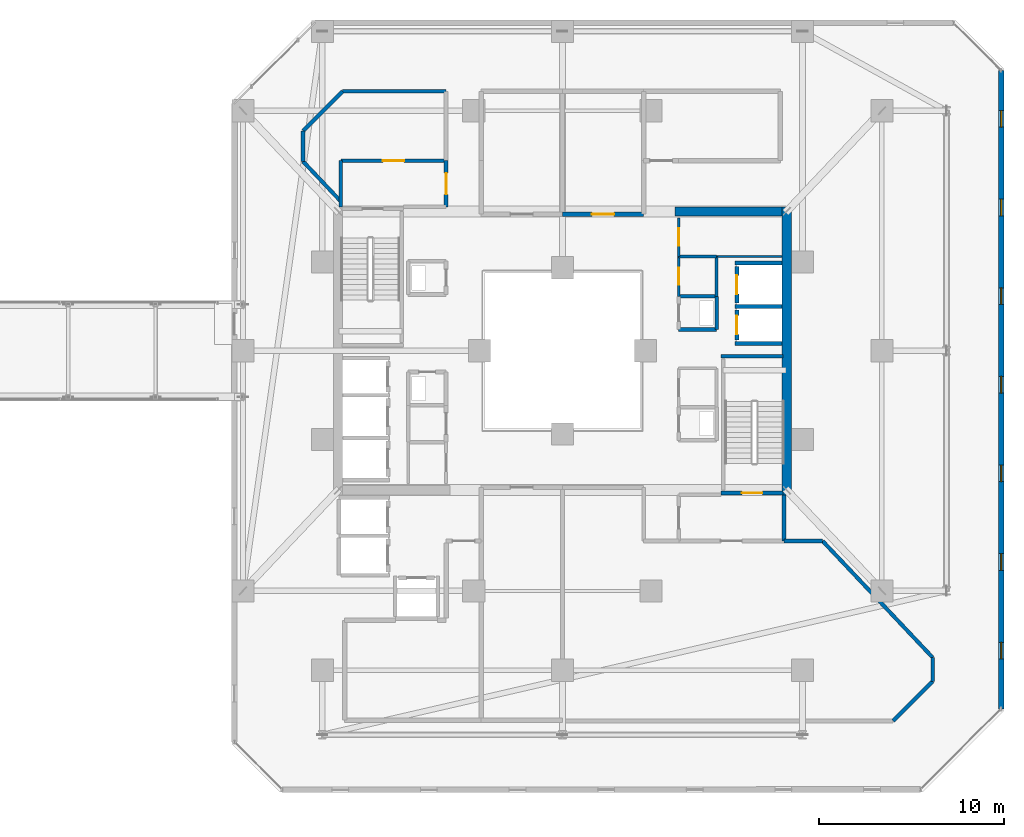
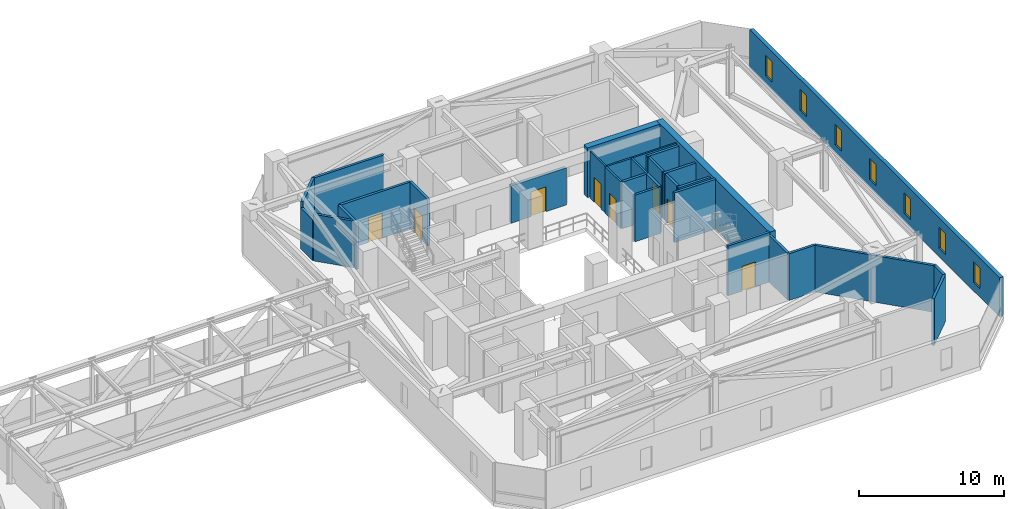
# One storey, part 41 of 45: 31 walls, 8 doors, 7 windows, 15 openings.
"""IFC4 building model written with IfcOpenShell, lengths in metres."""

import ifcopenshell
import ifcopenshell.guid

model = None  # the IFC model being written
_history = None  # IfcOwnerHistory: only IFC2X3 demands one
_inside = {}  # id of a spatial element -> (the spatial element, [elements in it])
_under = {}  # id of a project, library or spatial element -> (it, [spatial elements below it])
_declared = {}  # id of a project -> (the project, [libraries it declares])
_typed = {}  # id of a type object -> (the type object, [elements of that type])
_made_of = {}  # id of a material, layer set ... -> (it, [elements and type objects made of it])


def new_model(schema):
    """Start an empty IFC model of exactly this schema.

    Asked for "IFC4X3", IfcOpenShell would pick the latest addendum, in which some entities
    have other attributes; the version numbers below select the first issue.
    IFC2X3 requires an IfcOwnerHistory on every rooted entity: one is made here for all.
    """
    global model, _history
    if schema == "IFC4X3":
        model = ifcopenshell.file(schema_version=(4, 3, 0, 0))
    else:
        model = ifcopenshell.file(schema=schema)
    _inside.clear()
    _under.clear()
    _declared.clear()
    _typed.clear()
    _made_of.clear()
    _history = None
    if model.schema == "IFC2X3":
        org = make("IfcOrganization", Name="unknown")
        user = make(
            "IfcPersonAndOrganization",
            ThePerson=make("IfcPerson", FamilyName="unknown"),
            TheOrganization=org,
        )
        app = make(
            "IfcApplication",
            ApplicationDeveloper=org,
            Version="unknown",
            ApplicationFullName="unknown",
            ApplicationIdentifier="unknown",
        )
        _history = make(
            "IfcOwnerHistory",
            OwningUser=user,
            OwningApplication=app,
            ChangeAction="ADDED",
            CreationDate=0,
        )
    return model


def make(cls, **values):
    """One entity of the class cls with the attributes given. An attribute that is None is left unset."""
    return model.create_entity(
        cls, **{name: value for name, value in values.items() if value is not None}
    )


def rooted(cls, **values):
    """An entity with a GlobalId (a new one), such as an element, a storey or a relation."""
    return make(cls, GlobalId=ifcopenshell.guid.new(), OwnerHistory=_history, **values)


def si_unit(unit_type, name, prefix=None):
    """IfcSIUnit, for example si_unit("LENGTHUNIT", "METRE", prefix="MILLI")."""
    return make("IfcSIUnit", UnitType=unit_type, Prefix=prefix, Name=name)


def assignment(units):
    """IfcUnitAssignment: the units of a project."""
    return None if units is None else make("IfcUnitAssignment", Units=units)


def point(xyz):
    """IfcCartesianPoint."""
    return None if xyz is None else make("IfcCartesianPoint", Coordinates=xyz)


def direction(xyz):
    """IfcDirection."""
    return None if xyz is None else make("IfcDirection", DirectionRatios=xyz)


def frame(location, z_axis=None, x_axis=None):
    """IfcAxis2Placement3D, a coordinate frame: its origin and axes. An axis left out is left unset."""
    return make(
        "IfcAxis2Placement3D",
        Location=point(location),
        Axis=direction(z_axis),
        RefDirection=direction(x_axis),
    )


def frame_2d(location, x_axis=None):
    """IfcAxis2Placement2D, a coordinate frame in the plane: its origin and x axis."""
    return make(
        "IfcAxis2Placement2D", Location=point(location), RefDirection=direction(x_axis)
    )


def origin():
    """The frame at (0, 0, 0) with its axes left unset."""
    return frame((0.0, 0.0, 0.0))


def place(relative_to, where):
    """IfcLocalPlacement: puts the frame where relative to a parent placement (None: the world)."""
    return make(
        "IfcLocalPlacement", PlacementRelTo=relative_to, RelativePlacement=where
    )


def context(
    kind, dimensions, precision=None, world=None, true_north=None, identifier=None
):
    """IfcGeometricRepresentationContext, for example the 3D "Model" context."""
    return make(
        "IfcGeometricRepresentationContext",
        ContextIdentifier=identifier,
        ContextType=kind,
        CoordinateSpaceDimension=dimensions,
        Precision=precision,
        WorldCoordinateSystem=world,
        TrueNorth=true_north,
    )


def subcontext(parent, identifier, kind, view, scale=None):
    """IfcGeometricRepresentationSubContext, for example "Body" below "Model"."""
    return make(
        "IfcGeometricRepresentationSubContext",
        ContextIdentifier=identifier,
        ContextType=kind,
        ParentContext=parent,
        TargetScale=scale,
        TargetView=view,
    )


def project(units=None, contexts=None):
    """IfcProject with its units and contexts."""
    return rooted(
        "IfcProject",
        Name="project",
        RepresentationContexts=contexts,
        UnitsInContext=assignment(units),
    )


def spatial(cls, under=None, at=None, **own):
    """A site, building, storey or space (cls), placed at a placement, below another one or the project."""
    s = rooted(cls, ObjectPlacement=at, **own)
    if under is not None:
        _under.setdefault(under.id(), (under, []))[1].append(s)
    return s


def profile(cls, at=None, kind="AREA", **sizes):
    """A parametric profile (cls). Its sizes go by their IFC names, for example OverallWidth=200.0."""
    return make(cls, ProfileType=kind, Position=at, **sizes)


def rectangle(**sizes):
    """IfcRectangleProfileDef."""
    return profile("IfcRectangleProfileDef", **sizes)


def extrude(swept, where, along, depth):
    """IfcExtrudedAreaSolid: the profile swept, set in the frame where, extruded along a direction by depth."""
    return make(
        "IfcExtrudedAreaSolid",
        SweptArea=swept,
        Position=where,
        ExtrudedDirection=direction(along),
        Depth=depth,
    )


def shape(context_of_items, identifier, shape_type, items):
    """IfcShapeRepresentation: the items that make up one representation, for example the "Body"."""
    return make(
        "IfcShapeRepresentation",
        ContextOfItems=context_of_items,
        RepresentationIdentifier=identifier,
        RepresentationType=shape_type,
        Items=items,
    )


def material(Name=None, Category=None):
    """IfcMaterial."""
    return make("IfcMaterial", Name=Name, Category=Category)


def layer(
    of_material, thickness, ventilated=None, Name=None, Category=None, Priority=None
):
    """IfcMaterialLayer: one layer of a wall or slab, of a material (None: an air gap)."""
    return make(
        "IfcMaterialLayer",
        Material=of_material,
        LayerThickness=thickness,
        IsVentilated=ventilated,
        Name=Name,
        Category=Category,
        Priority=Priority,
    )


def layer_set(layers, Name=None):
    """IfcMaterialLayerSet."""
    return make("IfcMaterialLayerSet", MaterialLayers=layers, LayerSetName=Name)


def made_of(thing, what):
    """Note that an element or type object is made of a material, layer set ...; save() writes the relation."""
    if what is not None:
        _made_of.setdefault(what.id(), (what, []))[1].append(thing)
    return thing


def type_object(cls, material=None, **own):
    """A type object (cls), such as IfcWallType, which elements share."""
    return made_of(rooted(cls, **own), material)


def element(
    cls,
    number,
    at=None,
    inside=None,
    cuts=None,
    type_object=None,
    material=None,
    context=None,
    identifier="Body",
    shape_type=None,
    held_by="IfcProductDefinitionShape",
    body=None,
    shapes=None,
    **own,
):
    """One element of the class cls, such as IfcWall. Its Tag is "e" and its number.

    at: its placement. inside: the storey or other place that contains it. cuts: it is an
    opening in that element (IfcRelVoidsElement). A single representation is given by context,
    identifier, shape_type and body (its items); several are given by shapes. held_by: the class
    of the entity that holds the representations. save() writes the other relations.
    """
    e = rooted(cls, Tag="e%d" % number, ObjectPlacement=at, **own)
    if body is not None:
        shapes = [shape(context, identifier, shape_type, body)]
    if shapes is not None:
        e.Representation = make(held_by, Representations=shapes)
    if inside is not None:
        _inside.setdefault(inside.id(), (inside, []))[1].append(e)
    if cuts is not None:
        rooted(
            "IfcRelVoidsElement", RelatingBuildingElement=cuts, RelatedOpeningElement=e
        )
    if type_object is not None:
        _typed.setdefault(type_object.id(), (type_object, []))[1].append(e)
    return made_of(e, material)


def fill(opening, filler):
    """IfcRelFillsElement: the door or window that sits in an opening."""
    return rooted(
        "IfcRelFillsElement",
        RelatingOpeningElement=opening,
        RelatedBuildingElement=filler,
    )


def aggregate(whole, parts):
    """IfcRelAggregates: a whole, such as a stair, and the parts it consists of."""
    return rooted("IfcRelAggregates", RelatingObject=whole, RelatedObjects=parts)


def save(model, path):
    """Write the relations noted so far, then the file.

    IfcRelAggregates (storeys below a building ...), IfcRelContainedInSpatialStructure (elements
    in a storey), IfcRelDefinesByType, IfcRelAssociatesMaterial and IfcRelDeclares: one each for
    every whole, place, type object, material and project.
    """
    for whole, parts in _under.values():
        aggregate(whole, parts)
    for where, things in _inside.values():
        rooted(
            "IfcRelContainedInSpatialStructure",
            RelatedElements=things,
            RelatingStructure=where,
        )
    for kind, things in _typed.values():
        rooted("IfcRelDefinesByType", RelatedObjects=things, RelatingType=kind)
    for what, things in _made_of.values():
        rooted("IfcRelAssociatesMaterial", RelatedObjects=things, RelatingMaterial=what)
    for by, libraries in _declared.values():
        rooted("IfcRelDeclares", RelatingContext=by, RelatedDefinitions=libraries)
    model.write(path)


model = new_model("IFC4")

# Units and contexts
model_context = context("Model", 3, precision=1e-05, world=origin(), true_north=direction((0.0, 1.0)))
body_context = subcontext(model_context, "Body", "Model", "MODEL_VIEW")
ifc_project = project(units=[si_unit("LENGTHUNIT", "METRE"), si_unit("AREAUNIT", "SQUARE_METRE"), si_unit("VOLUMEUNIT", "CUBIC_METRE"), si_unit("PLANEANGLEUNIT", "RADIAN"), si_unit("MASSUNIT", "GRAM", prefix="KILO")], contexts=[model_context])

# Site, building, storey
site_placement = place(None, origin())
site = spatial("IfcSite", under=ifc_project, at=site_placement, CompositionType="ELEMENT")
building_placement = place(site_placement, origin())
building = spatial("IfcBuilding", under=site, at=building_placement, Name="Thornwick Lancets Civic Towers", CompositionType="ELEMENT")
storey_placement = place(building_placement, frame((0.0, 0.0, 141.300048828125)))
storey = spatial("IfcBuildingStorey", under=building, at=storey_placement, Name="L37", CompositionType="ELEMENT", Elevation=141.300048828125)

# Wall, opening, door
ifc_material_1 = material(Name="Concrete blockwork C40/50", Category="masonry")
ifc_layer_1 = layer(ifc_material_1, 0.199951171875, Name="Concrete blockwork C40/50")
ifc_layer_set_1 = layer_set([ifc_layer_1], Name="Concrete blockwork C40/50")
wall_type_1 = type_object("IfcWallType", Name="WALL_COMP_200", PredefinedType="STANDARD", material=ifc_layer_set_1)
wall_1_placement = place(storey_placement, frame((97.949951171875, 29.219970703125, 0.0), z_axis=(0.0, 0.0, 1.0), x_axis=(0.0, -1.0, 0.0)))
wall_1 = element("IfcWall", 1, at=wall_1_placement, inside=storey, type_object=wall_type_1, Name="L37 Hoistway Front Wall FL-B1", PredefinedType="STANDARD", context=body_context, shape_type="SweptSolid", body=[
    extrude(rectangle(XDim=1.639892578125, YDim=0.199951171875, at=frame_2d((0.81982421875, 0.0))), origin(), (0.0, 0.0, 1.0), 3.93994140625),
])
opening_1_placement = place(wall_1_placement, frame((0.31005859375, 0.0, 0.0)))
opening_1 = element("IfcOpeningElement", 2, at=opening_1_placement, cuts=wall_1, Name="Opening LD-FL-B1", PredefinedType="OPENING", context=body_context, shape_type="SweptSolid", body=[
    extrude(rectangle(XDim=1.02001953125, YDim=2.06005859375, at=frame_2d((0.510009765625, 1.030029296875))), frame((0.0, 0.10986328125, 0.0), z_axis=(0.0, -1.0, 0.0), x_axis=(1.0, 0.0, 0.0)), (0.0, 0.0, 1.0), 0.219970703125),
])
ifc_material_2 = material(Name="Brushed bronze stainless steel", Category="steel")
door_type_1 = type_object("IfcDoorType", Name="DOOR_LIFT_SLIDE", OperationType="SLIDING_TO_LEFT", PredefinedType="DOOR", material=ifc_material_2)
door_1_placement = place(opening_1_placement, origin())
door_1 = element("IfcDoor", 3, at=door_1_placement, inside=storey, type_object=door_type_1, Name="L37 Sliding Lift Landing Door LD-FL-B1", OperationType="SLIDING_TO_LEFT", OverallHeight=2.06005859375, OverallWidth=1.02001953125, PredefinedType="DOOR", context=body_context, shape_type="SweptSolid", body=[
    extrude(rectangle(XDim=1.02001953125, YDim=2.06005859375, at=frame_2d((0.510009765625, 1.030029296875))), frame((0.0, 0.02490234375, 0.0), z_axis=(0.0, -1.0, 0.0), x_axis=(1.0, 0.0, 0.0)), (0.0, 0.0, 1.0), 0.050048828125),
])
fill(opening_1, door_1)

wall_2_placement = place(storey_placement, frame((97.949951171875, 31.570068359375, 0.0), z_axis=(0.0, 0.0, 1.0), x_axis=(0.0, -1.0, 0.0)))
wall_2 = element("IfcWall", 4, at=wall_2_placement, inside=storey, type_object=wall_type_1, Name="L37 Hoistway Front Wall PL-BH1", PredefinedType="STANDARD", context=body_context, shape_type="SweptSolid", body=[
    extrude(rectangle(XDim=1.989990234375, YDim=0.199951171875, at=frame_2d((0.9951171875, 0.0))), origin(), (0.0, 0.0, 1.0), 3.93994140625),
])
opening_2_placement = place(wall_2_placement, frame((0.485107421875, 0.0, 0.0)))
opening_2 = element("IfcOpeningElement", 5, at=opening_2_placement, cuts=wall_2, Name="Opening LD-PL-BH1", PredefinedType="OPENING", context=body_context, shape_type="SweptSolid", body=[
    extrude(rectangle(XDim=1.02001953125, YDim=2.06005859375, at=frame_2d((0.510009765625, 1.030029296875))), frame((0.0, 0.10986328125, 0.0), z_axis=(0.0, -1.0, 0.0), x_axis=(1.0, 0.0, 0.0)), (0.0, 0.0, 1.0), 0.219970703125),
])
door_2_placement = place(opening_2_placement, origin())
door_2 = element("IfcDoor", 6, at=door_2_placement, inside=storey, type_object=door_type_1, Name="L37 Sliding Lift Landing Door LD-PL-BH1", OperationType="SLIDING_TO_LEFT", OverallHeight=2.06005859375, OverallWidth=1.02001953125, PredefinedType="DOOR", context=body_context, shape_type="SweptSolid", body=[
    extrude(rectangle(XDim=1.02001953125, YDim=2.06005859375, at=frame_2d((0.510009765625, 1.030029296875))), frame((0.0, 0.02490234375, 0.0), z_axis=(0.0, -1.0, 0.0), x_axis=(1.0, 0.0, 0.0)), (0.0, 0.0, 1.0), 0.050048828125),
])
fill(opening_2, door_2)

# Walls
for number, where, z_axis, x_axis, name in (
    (7, (97.85205078125, 29.39990234375, 0.0), (0.0, 0.0, 1.0), (1.0, 0.0, 0.0), "L37 Hoistway Shaft Wall FL-B1 N"),
    (8, (97.85205078125, 27.39990234375, 0.0), (0.0, 0.0, 1.0), (1.0, 0.0, 0.0), "L37 Hoistway Shaft Wall FL-B1 S"),
    (9, (97.85205078125, 31.75, 0.0), (0.0, 0.0, 1.0), (1.0, 0.0, 0.0), "L37 Hoistway Shaft Wall PL-BH1 N"),
):
    element("IfcWall", number, at=place(storey_placement, frame(where, z_axis=z_axis, x_axis=x_axis)), inside=storey, type_object=wall_type_1, Name=name, PredefinedType="STANDARD", context=body_context, shape_type="SweptSolid", body=[
        extrude(rectangle(XDim=2.535888671875, YDim=0.199951171875, at=frame_2d((1.26806640625, 0.0))), origin(), (0.0, 0.0, 1.0), 3.93994140625),
    ])
wall_3_placement = place(storey_placement, frame((100.5, 16.699951171875, 0.0), z_axis=(0.0, 0.0, 1.0), x_axis=(0.0, 1.0, 0.0)))
element("IfcWall", 10, at=wall_3_placement, inside=storey, type_object=wall_type_1, Name="L37 Partition L37-B-FFLOB1 E2", PredefinedType="STANDARD", context=body_context, shape_type="SweptSolid", body=[
    extrude(rectangle(XDim=2.5, YDim=0.199951171875, at=frame_2d((1.25, 0.0))), origin(), (0.0, 0.0, 1.0), 3.93994140625),
])

# Wall, opening, door
wall_4_placement = place(storey_placement, frame((82.199951171875, 34.800048828125, 0.0), z_axis=(0.0, 0.0, 1.0), x_axis=(0.0, 1.0, 0.0)))
wall_4 = element("IfcWall", 11, at=wall_4_placement, inside=storey, type_object=wall_type_1, Name="L37 Partition L37-B-FFLOB2 E2", PredefinedType="STANDARD", context=body_context, shape_type="SweptSolid", body=[
    extrude(rectangle(XDim=2.5, YDim=0.199951171875, at=frame_2d((1.25, 0.0))), origin(), (0.0, 0.0, 1.0), 3.93994140625),
])
opening_3_placement = place(wall_4_placement, frame((0.675048828125, 0.0, 0.0)))
opening_3 = element("IfcOpeningElement", 12, at=opening_3_placement, cuts=wall_4, Name="Opening D-L37-1679", PredefinedType="OPENING", context=body_context, shape_type="SweptSolid", body=[
    extrude(rectangle(XDim=1.14990234375, YDim=2.10009765625, at=frame_2d((0.574951171875, 1.050048828125))), frame((0.0, 0.10986328125, 0.0), z_axis=(0.0, -1.0, 0.0), x_axis=(1.0, 0.0, 0.0)), (0.0, 0.0, 1.0), 0.219970703125),
])
ifc_material_3 = material(Name="Glazed fire-resisting steel", Category="steel")
door_type_2 = type_object("IfcDoorType", Name="DOOR_LOBBY_FD60", OperationType="NOTDEFINED", PredefinedType="DOOR", material=ifc_material_3)
door_3_placement = place(opening_3_placement, origin())
door_3 = element("IfcDoor", 13, at=door_3_placement, inside=storey, type_object=door_type_2, Name="L37 West Firefighting Lobby 2 Door", OperationType="SINGLE_SWING_RIGHT", OverallHeight=2.10009765625, OverallWidth=1.14990234375, PredefinedType="DOOR", context=body_context, shape_type="SweptSolid", body=[
    extrude(rectangle(XDim=1.14990234375, YDim=2.10009765625, at=frame_2d((0.574951171875, 1.050048828125))), frame((0.0, 0.02490234375, 0.0), z_axis=(0.0, -1.0, 0.0), x_axis=(1.0, 0.0, 0.0)), (0.0, 0.0, 1.0), 0.050048828125),
])
fill(opening_3, door_3)

wall_5_placement = place(storey_placement, frame((82.199951171875, 37.300048828125, 0.0), z_axis=(0.0, 0.0, 1.0), x_axis=(-1.0, 0.0, 0.0)))
wall_5 = element("IfcWall", 14, at=wall_5_placement, inside=storey, type_object=wall_type_1, Name="L37 Partition L37-B-FFLOB2 E3", PredefinedType="STANDARD", context=body_context, shape_type="SweptSolid", body=[
    extrude(rectangle(XDim=5.699951171875, YDim=0.199951171875, at=frame_2d((2.85009765625, 0.0))), origin(), (0.0, 0.0, 1.0), 3.93994140625),
])
opening_4_placement = place(wall_5_placement, frame((2.27490234375, 0.0, 0.0)))
opening_4 = element("IfcOpeningElement", 15, at=opening_4_placement, cuts=wall_5, Name="Opening D-L37-1699", PredefinedType="OPENING", context=body_context, shape_type="SweptSolid", body=[
    extrude(rectangle(XDim=1.14990234375, YDim=2.10009765625, at=frame_2d((0.574951171875, 1.050048828125))), frame((0.0, 0.10986328125, 0.0), z_axis=(0.0, -1.0, 0.0), x_axis=(1.0, 0.0, 0.0)), (0.0, 0.0, 1.0), 0.219970703125),
])
door_4_placement = place(opening_4_placement, origin())
door_4 = element("IfcDoor", 16, at=door_4_placement, inside=storey, type_object=door_type_2, Name="L37 Tower B Refuge Holding Area 2 Door", OperationType="SINGLE_SWING_RIGHT", OverallHeight=2.10009765625, OverallWidth=1.14990234375, PredefinedType="DOOR", context=body_context, shape_type="SweptSolid", body=[
    extrude(rectangle(XDim=1.14990234375, YDim=2.10009765625, at=frame_2d((0.574951171875, 1.050048828125))), frame((0.0, 0.02490234375, 0.0), z_axis=(0.0, -1.0, 0.0), x_axis=(1.0, 0.0, 0.0)), (0.0, 0.0, 1.0), 0.050048828125),
])
fill(opening_4, door_4)

# Walls
wall_6_placement = place(storey_placement, frame((76.5, 37.300048828125, 0.0), z_axis=(0.0, 0.0, 1.0), x_axis=(0.0, -1.0, 0.0)))
element("IfcWall", 17, at=wall_6_placement, inside=storey, type_object=wall_type_1, Name="L37 Partition L37-B-FFLOB2 E4", PredefinedType="STANDARD", context=body_context, shape_type="SweptSolid", body=[
    extrude(rectangle(XDim=2.5, YDim=0.199951171875, at=frame_2d((1.25, 0.0))), origin(), (0.0, 0.0, 1.0), 3.93994140625),
])
wall_7_placement = place(storey_placement, frame((94.800048828125, 28.14990234375, 0.0), z_axis=(0.0, 0.0, 1.0), x_axis=(1.0, 0.0, 0.0)))
element("IfcWall", 18, at=wall_7_placement, inside=storey, type_object=wall_type_1, Name="L37 Partition L37-B-DUCT1 E1", PredefinedType="STANDARD", context=body_context, shape_type="SweptSolid", body=[
    extrude(rectangle(XDim=2.050048828125, YDim=0.199951171875, at=frame_2d((1.02490234375, 0.0))), origin(), (0.0, 0.0, 1.0), 3.93994140625),
])
wall_8_placement = place(storey_placement, frame((96.85009765625, 28.14990234375, 0.0), z_axis=(0.0, 0.0, 1.0), x_axis=(0.0, 1.0, 0.0)))
element("IfcWall", 19, at=wall_8_placement, inside=storey, type_object=wall_type_1, Name="L37 Partition L37-B-DUCT1 E2", PredefinedType="STANDARD", context=body_context, shape_type="SweptSolid", body=[
    extrude(rectangle(XDim=1.800048828125, YDim=0.199951171875, at=frame_2d((0.89990234375, 0.0))), origin(), (0.0, 0.0, 1.0), 3.93994140625),
])
wall_9_placement = place(storey_placement, frame((96.85009765625, 29.949951171875, 0.0), z_axis=(0.0, 0.0, 1.0), x_axis=(-1.0, 0.0, 0.0)))
element("IfcWall", 20, at=wall_9_placement, inside=storey, type_object=wall_type_1, Name="L37 Partition L37-B-DUCT1 E3", PredefinedType="STANDARD", context=body_context, shape_type="SweptSolid", body=[
    extrude(rectangle(XDim=2.050048828125, YDim=0.199951171875, at=frame_2d((1.02490234375, 0.0))), origin(), (0.0, 0.0, 1.0), 3.93994140625),
])
wall_10_placement = place(storey_placement, frame((100.5, 16.699951171875, 0.0), z_axis=(0.0, 0.0, 1.0), x_axis=(1.0, 0.0, 0.0)))
element("IfcWall", 21, at=wall_10_placement, inside=storey, type_object=wall_type_1, Name="L37 Partition L37-B-REF1 E4", PredefinedType="STANDARD", context=body_context, shape_type="SweptSolid", body=[
    extrude(rectangle(XDim=2.088134765625, YDim=0.199951171875, at=frame_2d((1.0439453125, 0.0))), origin(), (0.0, 0.0, 1.0), 3.93994140625),
])
wall_11_placement = place(storey_placement, frame((102.588134765625, 16.699951171875, 0.0), z_axis=(0.0, 0.0, 1.0), x_axis=(0.68682667103, -0.726821246223, 0.0)))
element("IfcWall", 22, at=wall_11_placement, inside=storey, type_object=wall_type_1, Name="L37 Partition L37-B-REF1 E5", PredefinedType="STANDARD", context=body_context, shape_type="SweptSolid", body=[
    extrude(rectangle(XDim=8.680419921875, YDim=0.199951171875, at=frame_2d((4.34033203125, 0.0))), origin(), (0.0, 0.0, 1.0), 3.93994140625),
])
wall_12_placement = place(storey_placement, frame((108.550048828125, 10.390869140625, 0.0), z_axis=(0.0, 0.0, 1.0), x_axis=(0.0, -1.0, 0.0)))
element("IfcWall", 23, at=wall_12_placement, inside=storey, type_object=wall_type_1, Name="L37 Partition L37-B-REF1 E6", PredefinedType="STANDARD", context=body_context, shape_type="SweptSolid", body=[
    extrude(rectangle(XDim=1.296142578125, YDim=0.199951171875, at=frame_2d((0.64794921875, 0.0))), origin(), (0.0, 0.0, 1.0), 3.93994140625),
])
wall_13_placement = place(storey_placement, frame((108.550048828125, 9.0947265625, 0.0), z_axis=(0.0, 0.0, 1.0), x_axis=(-0.707106781187, -0.707106781187, 0.0)))
element("IfcWall", 24, at=wall_13_placement, inside=storey, type_object=wall_type_1, Name="L37 Partition L37-B-REF1 E7", PredefinedType="STANDARD", context=body_context, shape_type="SweptSolid", body=[
    extrude(rectangle(XDim=3.033203125, YDim=0.199951171875, at=frame_2d((1.5166015625, 0.0))), origin(), (0.0, 0.0, 1.0), 3.93994140625),
])
wall_14_placement = place(storey_placement, frame((76.5, 35.090087890625, 0.0), z_axis=(0.0, 0.0, 1.0), x_axis=(-0.686825256468, 0.726822582944, 0.0)))
element("IfcWall", 25, at=wall_14_placement, inside=storey, type_object=wall_type_1, Name="L37 Partition L37-B-REF2 E2", PredefinedType="STANDARD", context=body_context, shape_type="SweptSolid", body=[
    extrude(rectangle(XDim=2.98486328125, YDim=0.199951171875, at=frame_2d((1.492431640625, 0.0))), origin(), (0.0, 0.0, 1.0), 3.93994140625),
])
wall_15_placement = place(storey_placement, frame((74.449951171875, 37.259521484375, 0.0), z_axis=(0.0, 0.0, 1.0), x_axis=(0.0, 1.0, 0.0)))
element("IfcWall", 26, at=wall_15_placement, inside=storey, type_object=wall_type_1, Name="L37 Partition L37-B-REF2 E3", PredefinedType="STANDARD", context=body_context, shape_type="SweptSolid", body=[
    extrude(rectangle(XDim=1.645751953125, YDim=0.199951171875, at=frame_2d((0.82275390625, 0.0))), origin(), (0.0, 0.0, 1.0), 3.445068359375),
])
wall_16_placement = place(storey_placement, frame((74.449951171875, 38.9052734375, 0.0), z_axis=(0.0, 0.0, 1.0), x_axis=(0.707106781187, 0.707106781187, 0.0)))
element("IfcWall", 27, at=wall_16_placement, inside=storey, type_object=wall_type_1, Name="L37 Partition L37-B-REF2 E4", PredefinedType="STANDARD", context=body_context, shape_type="SweptSolid", body=[
    extrude(rectangle(XDim=3.033203125, YDim=0.199951171875, at=frame_2d((1.5166015625, 0.0))), origin(), (0.0, 0.0, 1.0), 3.93994140625),
])
wall_17_placement = place(storey_placement, frame((76.5947265625, 41.050048828125, 0.0), z_axis=(0.0, 0.0, 1.0), x_axis=(1.0, 0.0, 0.0)))
element("IfcWall", 28, at=wall_17_placement, inside=storey, type_object=wall_type_1, Name="L37 Partition L37-B-REF2 E5", PredefinedType="STANDARD", context=body_context, shape_type="SweptSolid", body=[
    extrude(rectangle(XDim=5.605224609375, YDim=0.199951171875, at=frame_2d((2.802734375, 0.0))), origin(), (0.0, 0.0, 1.0), 3.93994140625),
])

# Wall, opening, door
ifc_layer_2 = layer(ifc_material_1, 0.239990234375, Name="Concrete blockwork C40/50")
ifc_layer_set_2 = layer_set([ifc_layer_2], Name="Concrete blockwork C40/50")
wall_type_2 = type_object("IfcWallType", Name="WALL_COMP_240", PredefinedType="STANDARD", material=ifc_layer_set_2)
wall_18_placement = place(storey_placement, frame((92.89990234375, 34.39990234375, 0.0), z_axis=(0.0, 0.0, 1.0), x_axis=(-1.0, 0.0, 0.0)))
wall_18 = element("IfcWall", 29, at=wall_18_placement, inside=storey, type_object=wall_type_2, Name="L37 Partition L37-B-PL-SMK E5", PredefinedType="STANDARD", context=body_context, shape_type="SweptSolid", body=[
    extrude(rectangle(XDim=4.39990234375, YDim=0.239990234375, at=frame_2d((2.199951171875, 0.0))), origin(), (0.0, 0.0, 1.0), 3.14501953125),
])
opening_5_placement = place(wall_18_placement, frame((1.60009765625, 0.0, 0.0)))
opening_5 = element("IfcOpeningElement", 30, at=opening_5_placement, cuts=wall_18, Name="Opening D-L37-1696", PredefinedType="OPENING", context=body_context, shape_type="SweptSolid", body=[
    extrude(rectangle(XDim=1.199951171875, YDim=2.10009765625, at=frame_2d((0.60009765625, 1.050048828125))), frame((0.0, 0.1298828125, 0.0), z_axis=(0.0, -1.0, 0.0), x_axis=(1.0, 0.0, 0.0)), (0.0, 0.0, 1.0), 0.260009765625),
])
ifc_material_4 = material(Name="Steel plant room doorset", Category="steel")
door_type_3 = type_object("IfcDoorType", Name="DOOR_PLANT_1200", OperationType="NOTDEFINED", PredefinedType="DOOR", material=ifc_material_4)
door_5_placement = place(opening_5_placement, origin())
door_5 = element("IfcDoor", 31, at=door_5_placement, inside=storey, type_object=door_type_3, Name="L37 Tower B Smoke Extract Fan Plant Room Door", OperationType="SINGLE_SWING_LEFT", OverallHeight=2.10009765625, OverallWidth=1.199951171875, PredefinedType="DOOR", context=body_context, shape_type="SweptSolid", body=[
    extrude(rectangle(XDim=1.199951171875, YDim=2.10009765625, at=frame_2d((0.60009765625, 1.050048828125))), frame((0.0, 0.02490234375, 0.0), z_axis=(0.0, -1.0, 0.0), x_axis=(1.0, 0.0, 0.0)), (0.0, 0.0, 1.0), 0.050048828125),
])
fill(opening_5, door_5)

# Walls
ifc_material_5 = material(Name="Concrete C50/60", Category="concrete")
ifc_layer_3 = layer(ifc_material_5, 0.5, Name="Concrete C50/60")
ifc_layer_set_3 = layer_set([ifc_layer_3], Name="Concrete C50/60")
wall_type_3 = type_object("IfcWallType", Name="WALL_CORE_500", PredefinedType="SHEAR", material=ifc_layer_set_3)
wall_19_placement = place(storey_placement, frame((100.64990234375, 19.199951171875, 0.0), z_axis=(0.0, 0.0, 1.0), x_axis=(0.0, 1.0, 0.0)))
element("IfcWall", 32, at=wall_19_placement, inside=storey, type_object=wall_type_3, Name="L37 Split Core B1 Shear Wall E", PredefinedType="SHEAR", context=body_context, shape_type="SweptSolid", body=[
    extrude(rectangle(XDim=15.60009765625, YDim=0.5, at=frame_2d((7.800048828125, 0.0))), origin(), (0.0, 0.0, 1.0), 4.199951171875),
])
wall_20_placement = place(storey_placement, frame((94.60009765625, 34.550048828125, 0.0), z_axis=(0.0, 0.0, 1.0), x_axis=(1.0, 0.0, 0.0)))
element("IfcWall", 33, at=wall_20_placement, inside=storey, type_object=wall_type_3, Name="L37 Split Core B1 Shear Wall N", PredefinedType="SHEAR", context=body_context, shape_type="SweptSolid", body=[
    extrude(rectangle(XDim=5.7998046875, YDim=0.5, at=frame_2d((2.89990234375, 0.0))), origin(), (0.0, 0.0, 1.0), 4.199951171875),
])

# Wall, openings, windows
ifc_material_6 = material(Name="Insulated russet terracotta rainscreen on concrete C40/50", Category="masonry")
ifc_layer_4 = layer(ifc_material_6, 0.300048828125, Name="Insulated russet terracotta rainscreen on concrete C40/50")
ifc_layer_set_4 = layer_set([ifc_layer_4], Name="Insulated russet terracotta rainscreen on concrete C40/50")
wall_type_4 = type_object("IfcWallType", Name="WALL_EXT_RUSSET_300", PredefinedType="STANDARD", material=ifc_layer_set_4)
wall_21_placement = place(storey_placement, frame((112.2587890625, 7.611572265625, 0.0), z_axis=(0.0, 0.0, 1.0), x_axis=(0.000169493917, 0.999999985636, 0.0)))
wall_21 = element("IfcWall", 34, at=wall_21_placement, inside=storey, type_object=wall_type_4, Name="L37 Tower B Terracotta Facade Wall E2", PredefinedType="STANDARD", context=body_context, shape_type="SweptSolid", body=[
    extrude(rectangle(XDim=34.56982421875, YDim=0.300048828125, at=frame_2d((17.284912109375, 0.0))), origin(), (0.0, 0.0, 1.0), 3.300048828125),
])
opening_6_placement = place(wall_21_placement, frame((2.699951171875, 0.0, 0.719970703125)))
opening_6 = element("IfcOpeningElement", 35, at=opening_6_placement, cuts=wall_21, Name="Opening WL-01", PredefinedType="OPENING", context=body_context, shape_type="SweptSolid", body=[
    extrude(rectangle(XDim=0.89990234375, YDim=1.75, at=frame_2d((0.449951171875, 0.875))), frame((0.0, 0.16015625, 0.0), z_axis=(0.0, -1.0, 0.0), x_axis=(1.0, 0.0, 0.0)), (0.0, 0.0, 1.0), 0.320068359375),
])
opening_7_placement = place(wall_21_placement, frame((7.5, 0.0, 0.719970703125)))
opening_7 = element("IfcOpeningElement", 36, at=opening_7_placement, cuts=wall_21, Name="Opening WL-01", PredefinedType="OPENING", context=body_context, shape_type="SweptSolid", body=[
    extrude(rectangle(XDim=0.89990234375, YDim=1.75, at=frame_2d((0.449951171875, 0.875))), frame((0.0, 0.16015625, 0.0), z_axis=(0.0, -1.0, 0.0), x_axis=(1.0, 0.0, 0.0)), (0.0, 0.0, 1.0), 0.320068359375),
])
opening_8_placement = place(wall_21_placement, frame((12.300048828125, 0.0, 0.719970703125)))
opening_8 = element("IfcOpeningElement", 37, at=opening_8_placement, cuts=wall_21, Name="Opening WL-01", PredefinedType="OPENING", context=body_context, shape_type="SweptSolid", body=[
    extrude(rectangle(XDim=0.89990234375, YDim=1.75, at=frame_2d((0.449951171875, 0.875))), frame((0.0, 0.16015625, 0.0), z_axis=(0.0, -1.0, 0.0), x_axis=(1.0, 0.0, 0.0)), (0.0, 0.0, 1.0), 0.320068359375),
])
opening_9_placement = place(wall_21_placement, frame((17.10009765625, 0.0, 0.719970703125)))
opening_9 = element("IfcOpeningElement", 38, at=opening_9_placement, cuts=wall_21, Name="Opening WL-01", PredefinedType="OPENING", context=body_context, shape_type="SweptSolid", body=[
    extrude(rectangle(XDim=0.89990234375, YDim=1.75, at=frame_2d((0.449951171875, 0.875))), frame((0.0, 0.16015625, 0.0), z_axis=(0.0, -1.0, 0.0), x_axis=(1.0, 0.0, 0.0)), (0.0, 0.0, 1.0), 0.320068359375),
])
opening_10_placement = place(wall_21_placement, frame((21.89990234375, 0.0, 0.719970703125)))
opening_10 = element("IfcOpeningElement", 39, at=opening_10_placement, cuts=wall_21, Name="Opening WL-01", PredefinedType="OPENING", context=body_context, shape_type="SweptSolid", body=[
    extrude(rectangle(XDim=0.89990234375, YDim=1.75, at=frame_2d((0.449951171875, 0.875))), frame((0.0, 0.16015625, 0.0), z_axis=(0.0, -1.0, 0.0), x_axis=(1.0, 0.0, 0.0)), (0.0, 0.0, 1.0), 0.320068359375),
])
opening_11_placement = place(wall_21_placement, frame((26.699951171875, 0.0, 0.719970703125)))
opening_11 = element("IfcOpeningElement", 40, at=opening_11_placement, cuts=wall_21, Name="Opening WL-01", PredefinedType="OPENING", context=body_context, shape_type="SweptSolid", body=[
    extrude(rectangle(XDim=0.89990234375, YDim=1.75, at=frame_2d((0.449951171875, 0.875))), frame((0.0, 0.16015625, 0.0), z_axis=(0.0, -1.0, 0.0), x_axis=(1.0, 0.0, 0.0)), (0.0, 0.0, 1.0), 0.320068359375),
])
opening_12_placement = place(wall_21_placement, frame((31.5, 0.0, 0.719970703125)))
opening_12 = element("IfcOpeningElement", 41, at=opening_12_placement, cuts=wall_21, Name="Opening WL-01", PredefinedType="OPENING", context=body_context, shape_type="SweptSolid", body=[
    extrude(rectangle(XDim=0.89990234375, YDim=1.75, at=frame_2d((0.449951171875, 0.875))), frame((0.0, 0.16015625, 0.0), z_axis=(0.0, -1.0, 0.0), x_axis=(1.0, 0.0, 0.0)), (0.0, 0.0, 1.0), 0.320068359375),
])
ifc_material_7 = material(Name="Clear low-e double glazing in bronze frame", Category="glass")
window_type = type_object("IfcWindowType", Name="WIN_LANCET_900", PartitioningType="SINGLE_PANEL", PredefinedType="WINDOW", material=ifc_material_7)
window_1_placement = place(opening_6_placement, origin())
window_1 = element("IfcWindow", 42, at=window_1_placement, inside=storey, type_object=window_type, Name="L37 Tower B Staggered Lancet Window E2-1", OverallHeight=1.75, OverallWidth=0.89990234375, PartitioningType="SINGLE_PANEL", PredefinedType="WINDOW", context=body_context, shape_type="SweptSolid", body=[
    extrude(rectangle(XDim=0.89990234375, YDim=1.75, at=frame_2d((0.449951171875, 0.875))), frame((0.0, 0.030029296875, 0.0), z_axis=(0.0, -1.0, 0.0), x_axis=(1.0, 0.0, 0.0)), (0.0, 0.0, 1.0), 0.06005859375),
])
fill(opening_6, window_1)
window_2_placement = place(opening_7_placement, origin())
window_2 = element("IfcWindow", 43, at=window_2_placement, inside=storey, type_object=window_type, Name="L37 Tower B Staggered Lancet Window E2-2", OverallHeight=1.75, OverallWidth=0.89990234375, PartitioningType="SINGLE_PANEL", PredefinedType="WINDOW", context=body_context, shape_type="SweptSolid", body=[
    extrude(rectangle(XDim=0.89990234375, YDim=1.75, at=frame_2d((0.449951171875, 0.875))), frame((0.0, 0.030029296875, 0.0), z_axis=(0.0, -1.0, 0.0), x_axis=(1.0, 0.0, 0.0)), (0.0, 0.0, 1.0), 0.06005859375),
])
fill(opening_7, window_2)
window_3_placement = place(opening_8_placement, origin())
window_3 = element("IfcWindow", 44, at=window_3_placement, inside=storey, type_object=window_type, Name="L37 Tower B Staggered Lancet Window E2-3", OverallHeight=1.75, OverallWidth=0.89990234375, PartitioningType="SINGLE_PANEL", PredefinedType="WINDOW", context=body_context, shape_type="SweptSolid", body=[
    extrude(rectangle(XDim=0.89990234375, YDim=1.75, at=frame_2d((0.449951171875, 0.875))), frame((0.0, 0.030029296875, 0.0), z_axis=(0.0, -1.0, 0.0), x_axis=(1.0, 0.0, 0.0)), (0.0, 0.0, 1.0), 0.06005859375),
])
fill(opening_8, window_3)
window_4_placement = place(opening_9_placement, origin())
window_4 = element("IfcWindow", 45, at=window_4_placement, inside=storey, type_object=window_type, Name="L37 Tower B Staggered Lancet Window E2-4", OverallHeight=1.75, OverallWidth=0.89990234375, PartitioningType="SINGLE_PANEL", PredefinedType="WINDOW", context=body_context, shape_type="SweptSolid", body=[
    extrude(rectangle(XDim=0.89990234375, YDim=1.75, at=frame_2d((0.449951171875, 0.875))), frame((0.0, 0.030029296875, 0.0), z_axis=(0.0, -1.0, 0.0), x_axis=(1.0, 0.0, 0.0)), (0.0, 0.0, 1.0), 0.06005859375),
])
fill(opening_9, window_4)
window_5_placement = place(opening_10_placement, origin())
window_5 = element("IfcWindow", 46, at=window_5_placement, inside=storey, type_object=window_type, Name="L37 Tower B Staggered Lancet Window E2-5", OverallHeight=1.75, OverallWidth=0.89990234375, PartitioningType="SINGLE_PANEL", PredefinedType="WINDOW", context=body_context, shape_type="SweptSolid", body=[
    extrude(rectangle(XDim=0.89990234375, YDim=1.75, at=frame_2d((0.449951171875, 0.875))), frame((0.0, 0.030029296875, 0.0), z_axis=(0.0, -1.0, 0.0), x_axis=(1.0, 0.0, 0.0)), (0.0, 0.0, 1.0), 0.06005859375),
])
fill(opening_10, window_5)
window_6_placement = place(opening_11_placement, origin())
window_6 = element("IfcWindow", 47, at=window_6_placement, inside=storey, type_object=window_type, Name="L37 Tower B Staggered Lancet Window E2-6", OverallHeight=1.75, OverallWidth=0.89990234375, PartitioningType="SINGLE_PANEL", PredefinedType="WINDOW", context=body_context, shape_type="SweptSolid", body=[
    extrude(rectangle(XDim=0.89990234375, YDim=1.75, at=frame_2d((0.449951171875, 0.875))), frame((0.0, 0.030029296875, 0.0), z_axis=(0.0, -1.0, 0.0), x_axis=(1.0, 0.0, 0.0)), (0.0, 0.0, 1.0), 0.06005859375),
])
fill(opening_11, window_6)
window_7_placement = place(opening_12_placement, origin())
window_7 = element("IfcWindow", 48, at=window_7_placement, inside=storey, type_object=window_type, Name="L37 Tower B Staggered Lancet Window E2-7", OverallHeight=1.75, OverallWidth=0.89990234375, PartitioningType="SINGLE_PANEL", PredefinedType="WINDOW", context=body_context, shape_type="SweptSolid", body=[
    extrude(rectangle(XDim=0.89990234375, YDim=1.75, at=frame_2d((0.449951171875, 0.875))), frame((0.0, 0.030029296875, 0.0), z_axis=(0.0, -1.0, 0.0), x_axis=(1.0, 0.0, 0.0)), (0.0, 0.0, 1.0), 0.06005859375),
])
fill(opening_12, window_7)

# Wall, opening, door
ifc_material_8 = material(Name="Acoustic gypsum board partition")
ifc_layer_5 = layer(ifc_material_8, 0.1201171875, Name="Acoustic gypsum board partition")
ifc_layer_set_5 = layer_set([ifc_layer_5], Name="Acoustic gypsum board partition")
wall_type_5 = type_object("IfcWallType", Name="WALL_PART_120", PredefinedType="PARTITIONING", material=ifc_layer_set_5)
wall_22_placement = place(storey_placement, frame((94.800048828125, 32.10009765625, 0.0), z_axis=(0.0, 0.0, 1.0), x_axis=(0.0, 1.0, 0.0)))
wall_22 = element("IfcWall", 49, at=wall_22_placement, inside=storey, type_object=wall_type_5, Name="L37 Partition L37-B-ITR E1", PredefinedType="PARTITIONING", context=body_context, shape_type="SweptSolid", body=[
    extrude(rectangle(XDim=2.099853515625, YDim=0.1201171875, at=frame_2d((1.0498046875, 0.0))), origin(), (0.0, 0.0, 1.0), 3.93994140625),
])
opening_13_placement = place(wall_22_placement, frame((0.574951171875, 0.0, 0.0)))
opening_13 = element("IfcOpeningElement", 50, at=opening_13_placement, cuts=wall_22, Name="Opening D-L37-1686", PredefinedType="OPENING", context=body_context, shape_type="SweptSolid", body=[
    extrude(rectangle(XDim=0.949951171875, YDim=2.10009765625, at=frame_2d((0.47509765625, 1.050048828125))), frame((0.0, 0.070068359375, 0.0), z_axis=(0.0, -1.0, 0.0), x_axis=(1.0, 0.0, 0.0)), (0.0, 0.0, 1.0), 0.14013671875),
])
ifc_material_9 = material(Name="European oak acoustic doorset")
door_type_4 = type_object("IfcDoorType", Name="DOOR_OFFICE_950", OperationType="NOTDEFINED", PredefinedType="DOOR", material=ifc_material_9)
door_6_placement = place(opening_13_placement, origin())
door_6 = element("IfcDoor", 51, at=door_6_placement, inside=storey, type_object=door_type_4, Name="L37 Tower B Comms Patch Room Door", OperationType="SINGLE_SWING_LEFT", OverallHeight=2.10009765625, OverallWidth=0.949951171875, PredefinedType="DOOR", context=body_context, shape_type="SweptSolid", body=[
    extrude(rectangle(XDim=0.949951171875, YDim=2.10009765625, at=frame_2d((0.47509765625, 1.050048828125))), frame((0.0, 0.02490234375, 0.0), z_axis=(0.0, -1.0, 0.0), x_axis=(1.0, 0.0, 0.0)), (0.0, 0.0, 1.0), 0.050048828125),
])
fill(opening_13, door_6)

# Wall
wall_23_placement = place(storey_placement, frame((100.39990234375, 32.10009765625, 0.0), z_axis=(0.0, 0.0, 1.0), x_axis=(-1.0, 0.0, 0.0)))
element("IfcWall", 52, at=wall_23_placement, inside=storey, type_object=wall_type_5, Name="L37 Partition L37-B-ITR E4", PredefinedType="PARTITIONING", context=body_context, shape_type="SweptSolid", body=[
    extrude(rectangle(XDim=3.5498046875, YDim=0.1201171875, at=frame_2d((1.77490234375, 0.0))), origin(), (0.0, 0.0, 1.0), 3.93994140625),
])

# Wall, opening, door
ifc_material_10 = material(Name="Twin-stud acoustic gypsum board")
ifc_layer_6 = layer(ifc_material_10, 0.14990234375, Name="Twin-stud acoustic gypsum board")
ifc_layer_set_6 = layer_set([ifc_layer_6], Name="Twin-stud acoustic gypsum board")
wall_type_6 = type_object("IfcWallType", Name="WALL_PART_150", PredefinedType="PARTITIONING", material=ifc_layer_set_6)
wall_24_placement = place(storey_placement, frame((94.800048828125, 29.949951171875, 0.0), z_axis=(0.0, 0.0, 1.0), x_axis=(0.0, 1.0, 0.0)))
wall_24 = element("IfcWall", 53, at=wall_24_placement, inside=storey, type_object=wall_type_6, Name="L37 Partition L37-B-FWC E1", PredefinedType="PARTITIONING", context=body_context, shape_type="SweptSolid", body=[
    extrude(rectangle(XDim=2.150146484375, YDim=0.14990234375, at=frame_2d((1.0751953125, 0.0))), origin(), (0.0, 0.0, 1.0), 3.93994140625),
])
opening_14_placement = place(wall_24_placement, frame((0.614990234375, 0.0, 0.0)))
opening_14 = element("IfcOpeningElement", 54, at=opening_14_placement, cuts=wall_24, Name="Opening D-L37-1685", PredefinedType="OPENING", context=body_context, shape_type="SweptSolid", body=[
    extrude(rectangle(XDim=0.919921875, YDim=2.080078125, at=frame_2d((0.4599609375, 1.0400390625))), frame((0.0, 0.0849609375, 0.0), z_axis=(0.0, -1.0, 0.0), x_axis=(1.0, 0.0, 0.0)), (0.0, 0.0, 1.0), 0.169921875),
])
ifc_material_11 = material(Name="Moisture-resistant oak doorset")
door_type_5 = type_object("IfcDoorType", Name="DOOR_WC_900", OperationType="NOTDEFINED", PredefinedType="DOOR", material=ifc_material_11)
door_7_placement = place(opening_14_placement, origin())
door_7 = element("IfcDoor", 55, at=door_7_placement, inside=storey, type_object=door_type_5, Name="L37 Tower B Female WC Door", OperationType="SINGLE_SWING_RIGHT", OverallHeight=2.080078125, OverallWidth=0.919921875, PredefinedType="DOOR", context=body_context, shape_type="SweptSolid", body=[
    extrude(rectangle(XDim=0.919921875, YDim=2.080078125, at=frame_2d((0.4599609375, 1.0400390625))), frame((0.0, 0.02490234375, 0.0), z_axis=(0.0, -1.0, 0.0), x_axis=(1.0, 0.0, 0.0)), (0.0, 0.0, 1.0), 0.050048828125),
])
fill(opening_14, door_7)

# Walls
wall_25_placement = place(storey_placement, frame((94.800048828125, 32.10009765625, 0.0), z_axis=(0.0, 0.0, 1.0), x_axis=(1.0, 0.0, 0.0)))
element("IfcWall", 56, at=wall_25_placement, inside=storey, type_object=wall_type_6, Name="L37 Partition L37-B-FWC E2", PredefinedType="PARTITIONING", context=body_context, shape_type="SweptSolid", body=[
    extrude(rectangle(XDim=2.050048828125, YDim=0.14990234375, at=frame_2d((1.02490234375, 0.0))), origin(), (0.0, 0.0, 1.0), 3.93994140625),
])
wall_26_placement = place(storey_placement, frame((96.85009765625, 32.10009765625, 0.0), z_axis=(0.0, 0.0, 1.0), x_axis=(0.0, -1.0, 0.0)))
element("IfcWall", 57, at=wall_26_placement, inside=storey, type_object=wall_type_6, Name="L37 Partition L37-B-FWC E3", PredefinedType="PARTITIONING", context=body_context, shape_type="SweptSolid", body=[
    extrude(rectangle(XDim=2.150146484375, YDim=0.14990234375, at=frame_2d((1.0751953125, 0.0))), origin(), (0.0, 0.0, 1.0), 3.93994140625),
])

# Wall, opening, door
ifc_material_12 = material(Name="Concrete C40/50", Category="concrete")
ifc_layer_7 = layer(ifc_material_12, 0.199951171875, Name="Concrete C40/50")
ifc_layer_set_7 = layer_set([ifc_layer_7], Name="Concrete C40/50")
wall_type_7 = type_object("IfcWallType", Name="WALL_SHAFT_200", PredefinedType="SHEAR", material=ifc_layer_set_7)
wall_27_placement = place(storey_placement, frame((100.449951171875, 19.300048828125, 0.0), z_axis=(0.0, 0.0, 1.0), x_axis=(-1.0, 0.0, 0.0)))
wall_27 = element("IfcWall", 58, at=wall_27_placement, inside=storey, type_object=wall_type_7, Name="L37 ST-B1 Fire Stair Core Wall NEAR", PredefinedType="SHEAR", context=body_context, shape_type="SweptSolid", body=[
    extrude(rectangle(XDim=3.349853515625, YDim=0.199951171875, at=frame_2d((1.6748046875, 0.0))), origin(), (0.0, 0.0, 1.0), 4.199951171875),
])
opening_15_placement = place(wall_27_placement, frame((1.125, 0.0, 0.0)))
opening_15 = element("IfcOpeningElement", 59, at=opening_15_placement, cuts=wall_27, Name="Opening D-ST-B1-L37", PredefinedType="OPENING", context=body_context, shape_type="SweptSolid", body=[
    extrude(rectangle(XDim=1.10009765625, YDim=2.10009765625, at=frame_2d((0.550048828125, 1.050048828125))), frame((0.0, 0.10986328125, 0.0), z_axis=(0.0, -1.0, 0.0), x_axis=(1.0, 0.0, 0.0)), (0.0, 0.0, 1.0), 0.219970703125),
])
ifc_material_13 = material(Name="Fire-resisting steel and hardwood", Category="steel")
door_type_6 = type_object("IfcDoorType", Name="DOOR_STAIR_FD60", OperationType="NOTDEFINED", PredefinedType="DOOR", material=ifc_material_13)
door_8_placement = place(opening_15_placement, origin())
door_8 = element("IfcDoor", 60, at=door_8_placement, inside=storey, type_object=door_type_6, Name="L37 ST-B1 Exit Stair Door", OperationType="SINGLE_SWING_RIGHT", OverallHeight=2.10009765625, OverallWidth=1.10009765625, PredefinedType="DOOR", context=body_context, shape_type="SweptSolid", body=[
    extrude(rectangle(XDim=1.10009765625, YDim=2.10009765625, at=frame_2d((0.550048828125, 1.050048828125))), frame((0.0, 0.02490234375, 0.0), z_axis=(0.0, -1.0, 0.0), x_axis=(1.0, 0.0, 0.0)), (0.0, 0.0, 1.0), 0.050048828125),
])
fill(opening_15, door_8)

# Wall
wall_28_placement = place(storey_placement, frame((97.10009765625, 26.699951171875, 0.0), z_axis=(0.0, 0.0, 1.0), x_axis=(1.0, 0.0, 0.0)))
element("IfcWall", 61, at=wall_28_placement, inside=storey, type_object=wall_type_7, Name="L37 ST-B1 Fire Stair Core Wall FAR", PredefinedType="SHEAR", context=body_context, shape_type="SweptSolid", body=[
    extrude(rectangle(XDim=3.349853515625, YDim=0.199951171875, at=frame_2d((1.6748046875, 0.0))), origin(), (0.0, 0.0, 1.0), 4.199951171875),
])

save(model, "model.ifc")
